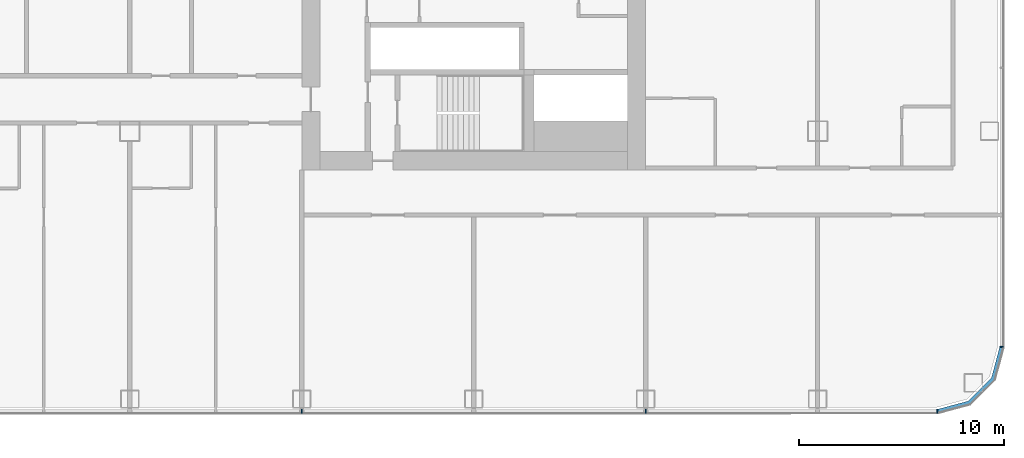
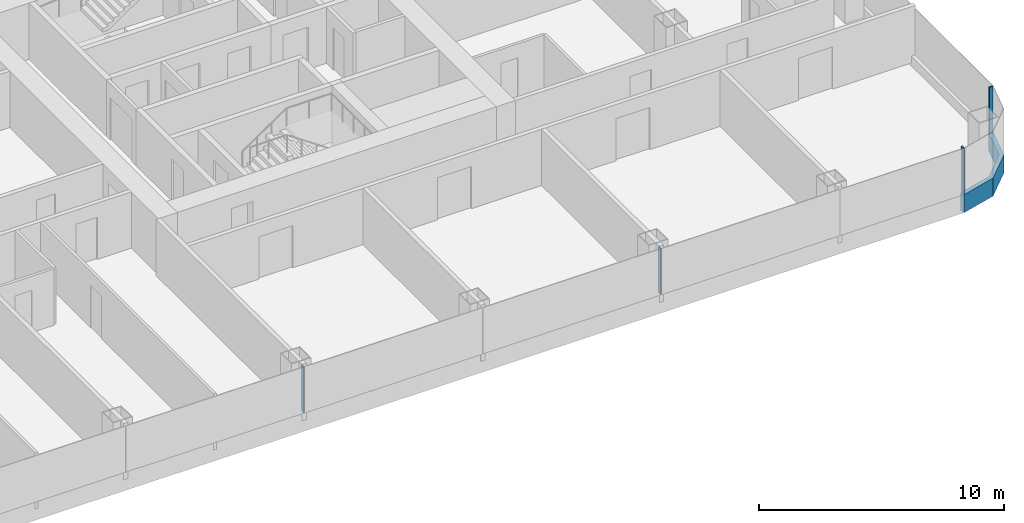
# One storey, part 9 of 28: 5 members, 3 elements without a shape of their own.
"""IFC4 building model written with IfcOpenShell, lengths in metres."""

from ifc_helpers import new_model, si_unit, direction, frame, origin, origin_2d, place, context, subcontext, project, spatial, polyline, rectangle, outline, extrude, material, layer, layer_set, material_profile, profile_set, type_object, element, aggregate, save


model = new_model("IFC4")

# Units and contexts
model_context = context("Model", 3, precision=1e-05, world=origin(), true_north=direction((0.0, 1.0)))
body_context = subcontext(model_context, "Body", "Model", "MODEL_VIEW")
ifc_project = project(units=[si_unit("LENGTHUNIT", "METRE"), si_unit("AREAUNIT", "SQUARE_METRE"), si_unit("VOLUMEUNIT", "CUBIC_METRE"), si_unit("PLANEANGLEUNIT", "RADIAN"), si_unit("MASSUNIT", "GRAM", prefix="KILO")], contexts=[model_context])

# Site, building, storey
site_placement = place(None, origin())
site = spatial("IfcSite", under=ifc_project, at=site_placement, CompositionType="ELEMENT")
building_placement = place(site_placement, origin())
building = spatial("IfcBuilding", under=site, at=building_placement, Name="Hakoniwa Tower and Hamabe Station Hall", CompositionType="ELEMENT")
storey_placement = place(building_placement, frame((0.0, 0.0, 48.60009765625)))
storey = spatial("IfcBuildingStorey", under=building, at=storey_placement, Name="L13", CompositionType="ELEMENT", Elevation=48.60009765625)

# Curtain wall, member
ifc_material_1 = material(Name="Dark low-e laminated glass", Category="glass")
ifc_layer = layer(ifc_material_1, 0.199951171875)
ifc_layer_set = layer_set([ifc_layer], Name="CW-1 UNITISED GUEST")
curtain_wall_type = type_object("IfcCurtainWallType", Name="CW-1 UNITISED GUEST", PredefinedType="NOTDEFINED", material=ifc_layer_set)
curtain_wall_1_placement = place(storey_placement, origin())
curtain_wall_1 = element("IfcCurtainWall", 1, at=curtain_wall_1_placement, inside=storey, type_object=curtain_wall_type, Name="CW-1 curtain wall", PredefinedType="NOTDEFINED")
ifc_material_2 = material(Name="Aluminium 6063-T5 black anodised", Category="aluminium")
ifc_material_profile_1 = material_profile(ifc_material_2, rectangle(XDim=0.199951171875, YDim=0.89990234375, at=origin_2d()), Name="CW SLAB-EDGE BAND 900X200")
ifc_profile_set_1 = profile_set([ifc_material_profile_1], Name="Aluminium 6063-T5 black anodised")
member_type_1 = type_object("IfcMemberType", Name="CW SLAB-EDGE BAND 900X200", PredefinedType="USERDEFINED", material=ifc_profile_set_1)
member_1_placement = place(storey_placement, frame((0.0, 0.0, -0.550048828125)))
member_1 = element("IfcMember", 2, at=member_1_placement, type_object=member_type_1, Name="CW-1 transom", ObjectType="TRANSOM", PredefinedType="USERDEFINED", context=body_context, shape_type="SweptSolid", body=[
    extrude(outline(polyline([(47.839599609375, -20.300048828125), (49.455322265625, -19.866943359375), (50.6669921875, -18.6552734375), (51.10009765625, -17.03955078125), (50.90673828125, -16.98779296875), (50.48779296875, -18.5517578125), (49.351806640625, -19.687744140625), (47.787841796875, -20.10693359375), (47.839599609375, -20.300048828125)])), origin(), (0.0, 0.0, 1.0), 0.89990234375),
])
aggregate(curtain_wall_1, [member_1])

curtain_wall_2_placement = place(storey_placement, origin())
curtain_wall_2 = element("IfcCurtainWall", 3, at=curtain_wall_2_placement, inside=storey, type_object=curtain_wall_type, Name="CW-1 curtain wall", PredefinedType="NOTDEFINED")
ifc_material_3 = material(Name="Aluminium 6063-T5 black anodised", Category="aluminium")
ifc_material_profile_2 = material_profile(ifc_material_3, rectangle(XDim=0.06005859375, YDim=0.179931640625, at=origin_2d()), Name="CW-1 MULLION 60X180")
ifc_profile_set_2 = profile_set([ifc_material_profile_2], Name="Aluminium 6063-T5 black anodised")
member_type_2 = type_object("IfcMemberType", Name="CW-1 MULLION 60X180", PredefinedType="MULLION", material=ifc_profile_set_2)
member_2_placement = place(storey_placement, frame((50.98193359375, -17.03955078125, 0.349853515625), z_axis=(0.0, 0.0, 1.0), x_axis=(0.0, 1.0, 0.0)))
member_2 = element("IfcMember", 4, at=member_2_placement, type_object=member_type_2, Name="CW-1 mullion", PredefinedType="MULLION", context=body_context, shape_type="SweptSolid", body=[
    extrude(rectangle(XDim=0.06005859375, YDim=0.179931640625, at=origin_2d()), origin(), (0.0, 0.0, 1.0), 2.300048828125),
])
aggregate(curtain_wall_2, [member_2])

# Curtain wall, members
curtain_wall_3_placement = place(storey_placement, origin())
curtain_wall_3 = element("IfcCurtainWall", 5, at=curtain_wall_3_placement, inside=storey, type_object=curtain_wall_type, Name="CW-1 curtain wall", PredefinedType="NOTDEFINED")
member_3_placement = place(storey_placement, frame((16.800048828125, -20.181884765625, 0.349853515625), z_axis=(0.0, 0.0, 1.0), x_axis=(1.0, 0.0, 0.0)))
member_3 = element("IfcMember", 6, at=member_3_placement, type_object=member_type_2, Name="CW-1 mullion", PredefinedType="MULLION", context=body_context, shape_type="SweptSolid", body=[
    extrude(rectangle(XDim=0.06005859375, YDim=0.179931640625, at=origin_2d()), origin(), (0.0, 0.0, 1.0), 2.300048828125),
])
member_4_placement = place(storey_placement, frame((33.60009765625, -20.181884765625, 0.349853515625), z_axis=(0.0, 0.0, 1.0), x_axis=(1.0, 0.0, 0.0)))
member_4 = element("IfcMember", 7, at=member_4_placement, type_object=member_type_2, Name="CW-1 mullion", PredefinedType="MULLION", context=body_context, shape_type="SweptSolid", body=[
    extrude(rectangle(XDim=0.06005859375, YDim=0.179931640625, at=origin_2d()), origin(), (0.0, 0.0, 1.0), 2.300048828125),
])
member_5_placement = place(storey_placement, frame((47.839599609375, -20.181884765625, 0.349853515625), z_axis=(0.0, 0.0, 1.0), x_axis=(1.0, 0.0, 0.0)))
member_5 = element("IfcMember", 8, at=member_5_placement, type_object=member_type_2, Name="CW-1 mullion", PredefinedType="MULLION", context=body_context, shape_type="SweptSolid", body=[
    extrude(rectangle(XDim=0.06005859375, YDim=0.179931640625, at=origin_2d()), origin(), (0.0, 0.0, 1.0), 2.300048828125),
])
aggregate(curtain_wall_3, [member_3, member_4, member_5])

save(model, "model.ifc")
